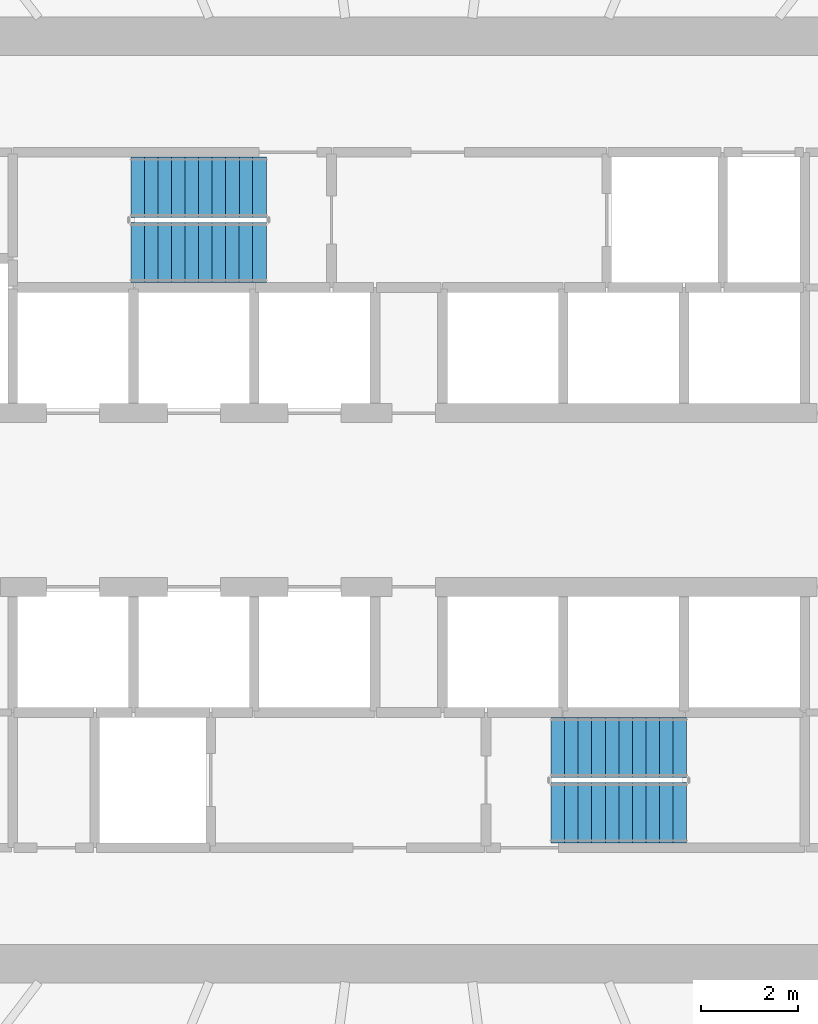
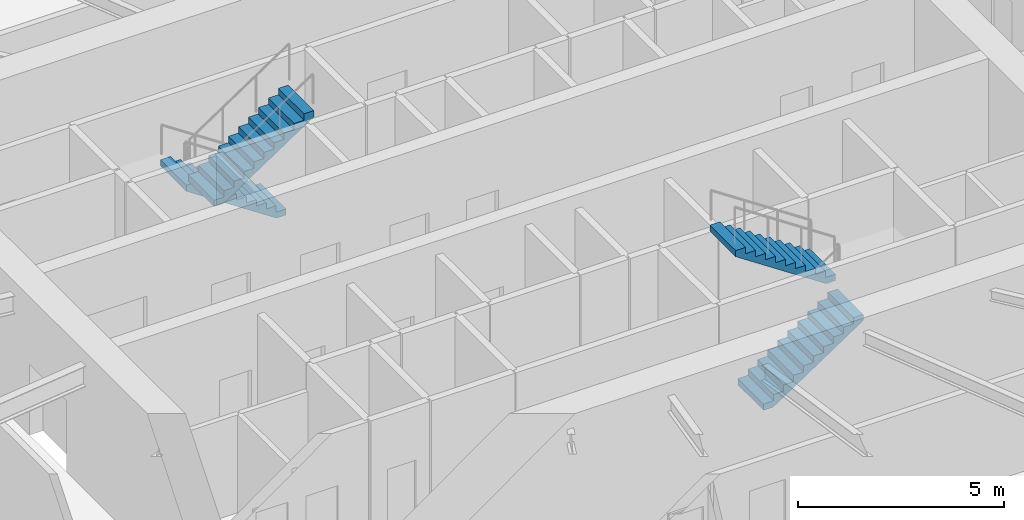
# One storey, part 14 of 17: 4 stair flights, 2 elements without a shape of their own.
"""IFC4 building model written with IfcOpenShell, lengths in metres."""

from ifc_helpers import new_model, si_unit, direction, frame, origin, place, context, subcontext, project, spatial, line, indexed_curve, outline, extrude, material, type_object, element, aggregate, save


model = new_model("IFC4")

# Units and contexts
model_context = context("Model", 3, precision=1e-05, world=origin(), true_north=direction((0.0, 1.0)))
body_context = subcontext(model_context, "Body", "Model", "MODEL_VIEW")
ifc_project = project(units=[si_unit("LENGTHUNIT", "METRE"), si_unit("AREAUNIT", "SQUARE_METRE"), si_unit("VOLUMEUNIT", "CUBIC_METRE"), si_unit("PLANEANGLEUNIT", "RADIAN"), si_unit("MASSUNIT", "GRAM", prefix="KILO")], contexts=[model_context])

# Site, building, storey
site_placement = place(None, origin())
site = spatial("IfcSite", under=ifc_project, at=site_placement, CompositionType="ELEMENT")
building_placement = place(site_placement, origin())
building = spatial("IfcBuilding", under=site, at=building_placement, Name="Spindrift Exchange Tower", CompositionType="ELEMENT")
storey_placement = place(building_placement, frame((0.0, 0.0, 92.10009765625)))
storey = spatial("IfcBuildingStorey", under=building, at=storey_placement, Name="L21", CompositionType="ELEMENT", Elevation=92.10009765625)

# Stair, stair flights
ifc_material = material(Name="Concrete 50 MPa", Category="concrete")
stair_type = type_object("IfcStairType", Name="ST-1250-R186", PredefinedType="HALF_TURN_STAIR", material=ifc_material)
stair_1_placement = place(storey_placement, origin())
stair_1 = element("IfcStair", 1, at=stair_1_placement, inside=storey, type_object=stair_type, Name="L21 Exit stair ST1", PredefinedType="HALF_TURN_STAIR")
stair_flight_type = type_object("IfcStairFlightType", Name="STF-1250-R186", PredefinedType="STRAIGHT", material=ifc_material)
stair_flight_1_placement = place(storey_placement, frame((49.050048828125, 54.47509765625, 0.0), z_axis=(0.0, 0.0, 1.0), x_axis=(-1.0, 0.0, 0.0)))
stair_flight_1 = element("IfcStairFlight", 2, at=stair_flight_1_placement, type_object=stair_flight_type, Name="ST1 flight 1", NumberOfRisers=11, NumberOfTreads=10, PredefinedType="STRAIGHT", RiserHeight=0.186363636, TreadLength=0.28, context=body_context, shape_type="SweptSolid", body=[
    extrude(outline(indexed_curve([(0.0, 0.0), (0.0, 0.1865234375), (0.2802734375, 0.1865234375), (0.2802734375, 0.373046875), (0.5595703125, 0.373046875), (0.5595703125, 0.5595703125), (0.83984375, 0.5595703125), (0.83984375, 0.7451171875), (1.1201171875, 0.7451171875), (1.1201171875, 0.931640625), (1.400390625, 0.931640625), (1.400390625, 1.1181640625), (1.6796875, 1.1181640625), (1.6796875, 1.3046875), (1.9599609375, 1.3046875), (1.9599609375, 1.4912109375), (2.240234375, 1.4912109375), (2.240234375, 1.677734375), (2.51953125, 1.677734375), (2.51953125, 1.86328125), (2.7998046875, 1.86328125), (2.7998046875, 2.0498046875), (2.7998046875, 1.68359375), (0.2705078125, 0.0)], segments=[line(1, 2, 3, 4, 5, 6, 7, 8, 9, 10, 11, 12, 13, 14, 15, 16, 17, 18, 19, 20, 21, 22, 23, 24, 1)], self_intersect=False)), frame((0.0, 0.625, 0.0), z_axis=(0.0, -1.0, 0.0), x_axis=(1.0, 0.0, 0.0)), (0.0, 0.0, 1.0), 1.25),
])
stair_flight_2_placement = place(storey_placement, frame((46.25, 53.125, 2.0498046875), z_axis=(0.0, 0.0, 1.0), x_axis=(1.0, 0.0, 0.0)))
stair_flight_2 = element("IfcStairFlight", 3, at=stair_flight_2_placement, type_object=stair_flight_type, Name="ST1 flight 2", NumberOfRisers=11, NumberOfTreads=10, PredefinedType="STRAIGHT", RiserHeight=0.186363636, TreadLength=0.28, context=body_context, shape_type="SweptSolid", body=[
    extrude(outline(indexed_curve([(0.0, 0.0), (0.0, 0.1865234375), (0.2802734375, 0.1865234375), (0.2802734375, 0.373046875), (0.5595703125, 0.373046875), (0.5595703125, 0.5595703125), (0.83984375, 0.5595703125), (0.83984375, 0.7451171875), (1.1201171875, 0.7451171875), (1.1201171875, 0.931640625), (1.400390625, 0.931640625), (1.400390625, 1.1181640625), (1.6796875, 1.1181640625), (1.6796875, 1.3046875), (1.9599609375, 1.3046875), (1.9599609375, 1.4912109375), (2.240234375, 1.4912109375), (2.240234375, 1.677734375), (2.51953125, 1.677734375), (2.51953125, 1.86328125), (2.7998046875, 1.86328125), (2.7998046875, 2.0498046875), (2.7998046875, 1.68359375), (0.2705078125, 0.0)], segments=[line(1, 2, 3, 4, 5, 6, 7, 8, 9, 10, 11, 12, 13, 14, 15, 16, 17, 18, 19, 20, 21, 22, 23, 24, 1)], self_intersect=False)), frame((0.0, 0.625, 0.0), z_axis=(0.0, -1.0, 0.0), x_axis=(1.0, 0.0, 0.0)), (0.0, 0.0, 1.0), 1.25),
])
aggregate(stair_1, [stair_flight_1, stair_flight_2])

stair_2_placement = place(storey_placement, origin())
stair_2 = element("IfcStair", 4, at=stair_2_placement, inside=storey, type_object=stair_type, Name="L21 Exit stair ST2", PredefinedType="HALF_TURN_STAIR")
stair_flight_3_placement = place(storey_placement, frame((54.949951171875, 41.52490234375, 0.0), z_axis=(0.0, 0.0, 1.0), x_axis=(1.0, 0.0, 0.0)))
stair_flight_3 = element("IfcStairFlight", 5, at=stair_flight_3_placement, type_object=stair_flight_type, Name="ST2 flight 1", NumberOfRisers=11, NumberOfTreads=10, PredefinedType="STRAIGHT", RiserHeight=0.186363636, TreadLength=0.28, context=body_context, shape_type="SweptSolid", body=[
    extrude(outline(indexed_curve([(0.0, 0.0), (0.0, 0.1865234375), (0.2802734375, 0.1865234375), (0.2802734375, 0.373046875), (0.5595703125, 0.373046875), (0.5595703125, 0.5595703125), (0.83984375, 0.5595703125), (0.83984375, 0.7451171875), (1.1201171875, 0.7451171875), (1.1201171875, 0.931640625), (1.400390625, 0.931640625), (1.400390625, 1.1181640625), (1.6796875, 1.1181640625), (1.6796875, 1.3046875), (1.9599609375, 1.3046875), (1.9599609375, 1.4912109375), (2.240234375, 1.4912109375), (2.240234375, 1.677734375), (2.51953125, 1.677734375), (2.51953125, 1.86328125), (2.7998046875, 1.86328125), (2.7998046875, 2.0498046875), (2.7998046875, 1.68359375), (0.2705078125, 0.0)], segments=[line(1, 2, 3, 4, 5, 6, 7, 8, 9, 10, 11, 12, 13, 14, 15, 16, 17, 18, 19, 20, 21, 22, 23, 24, 1)], self_intersect=False)), frame((0.0, 0.625, 0.0), z_axis=(0.0, -1.0, 0.0), x_axis=(1.0, 0.0, 0.0)), (0.0, 0.0, 1.0), 1.25),
])
stair_flight_4_placement = place(storey_placement, frame((57.75, 42.875, 2.0498046875), z_axis=(0.0, 0.0, 1.0), x_axis=(-1.0, 0.0, 0.0)))
stair_flight_4 = element("IfcStairFlight", 6, at=stair_flight_4_placement, type_object=stair_flight_type, Name="ST2 flight 2", NumberOfRisers=11, NumberOfTreads=10, PredefinedType="STRAIGHT", RiserHeight=0.186363636, TreadLength=0.28, context=body_context, shape_type="SweptSolid", body=[
    extrude(outline(indexed_curve([(0.0, 0.0), (0.0, 0.1865234375), (0.2802734375, 0.1865234375), (0.2802734375, 0.373046875), (0.5595703125, 0.373046875), (0.5595703125, 0.5595703125), (0.83984375, 0.5595703125), (0.83984375, 0.7451171875), (1.1201171875, 0.7451171875), (1.1201171875, 0.931640625), (1.400390625, 0.931640625), (1.400390625, 1.1181640625), (1.6796875, 1.1181640625), (1.6796875, 1.3046875), (1.9599609375, 1.3046875), (1.9599609375, 1.4912109375), (2.240234375, 1.4912109375), (2.240234375, 1.677734375), (2.51953125, 1.677734375), (2.51953125, 1.86328125), (2.7998046875, 1.86328125), (2.7998046875, 2.0498046875), (2.7998046875, 1.68359375), (0.2705078125, 0.0)], segments=[line(1, 2, 3, 4, 5, 6, 7, 8, 9, 10, 11, 12, 13, 14, 15, 16, 17, 18, 19, 20, 21, 22, 23, 24, 1)], self_intersect=False)), frame((0.0, 0.625, 0.0), z_axis=(0.0, -1.0, 0.0), x_axis=(1.0, 0.0, 0.0)), (0.0, 0.0, 1.0), 1.25),
])
aggregate(stair_2, [stair_flight_3, stair_flight_4])

save(model, "model.ifc")
